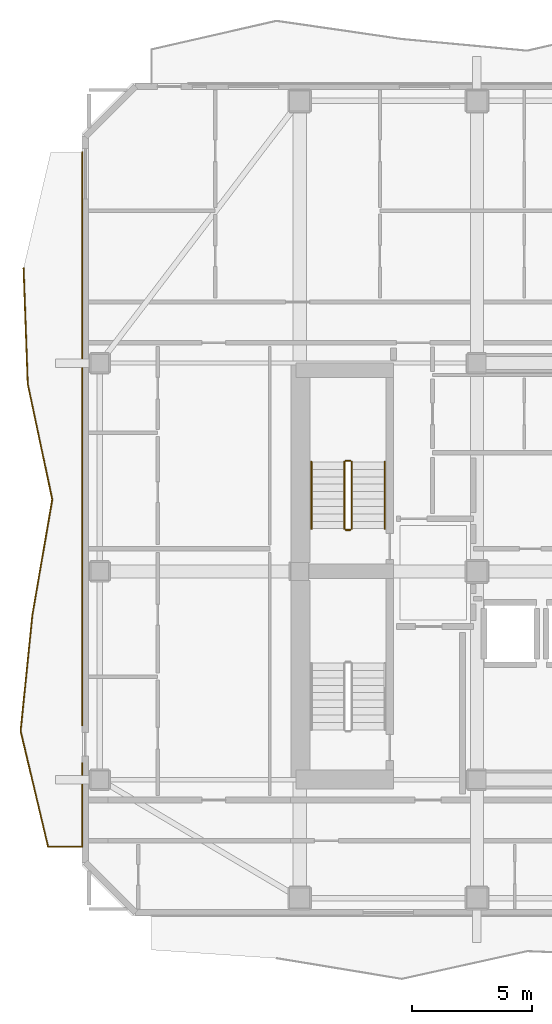
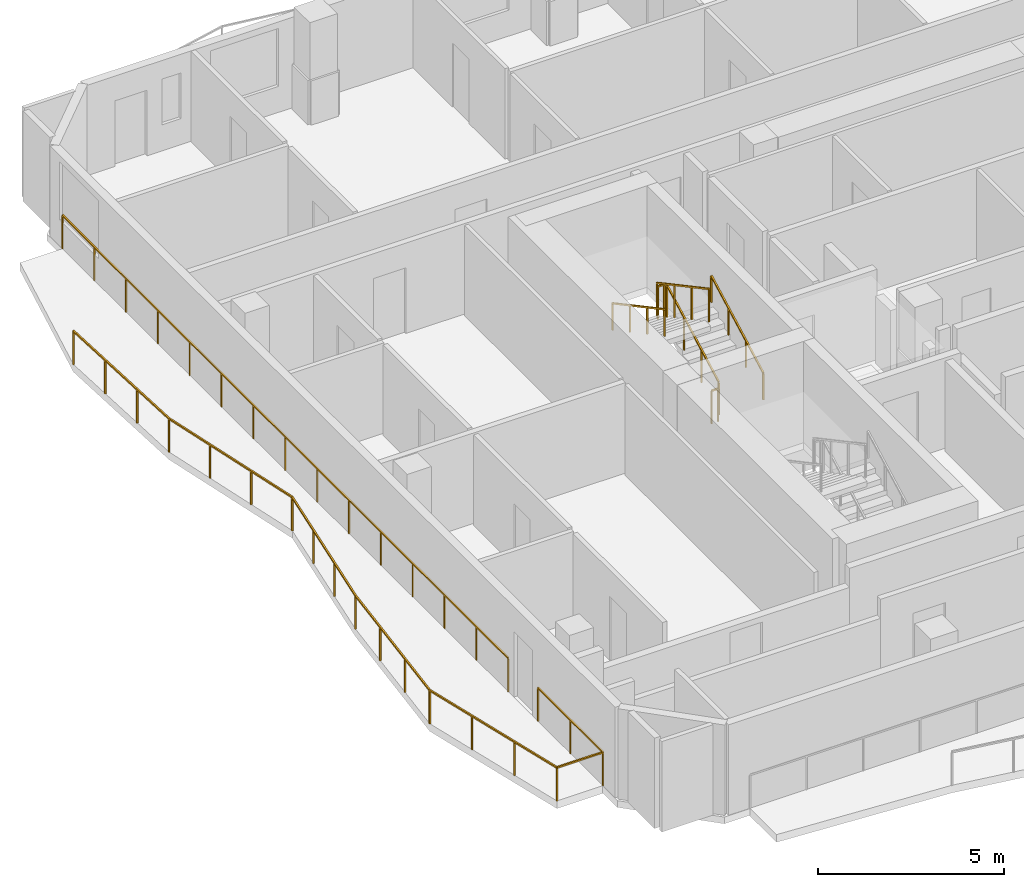
# One storey, part 8 of 10: 8 railings.
"""IFC4 building model written with IfcOpenShell, lengths in metres."""

import ifcopenshell
import ifcopenshell.guid

model = None  # the IFC model being written
_history = None  # IfcOwnerHistory: only IFC2X3 demands one
_inside = {}  # id of a spatial element -> (the spatial element, [elements in it])
_under = {}  # id of a project, library or spatial element -> (it, [spatial elements below it])
_declared = {}  # id of a project -> (the project, [libraries it declares])
_typed = {}  # id of a type object -> (the type object, [elements of that type])
_made_of = {}  # id of a material, layer set ... -> (it, [elements and type objects made of it])


def new_model(schema):
    """Start an empty IFC model of exactly this schema.

    Asked for "IFC4X3", IfcOpenShell would pick the latest addendum, in which some entities
    have other attributes; the version numbers below select the first issue.
    IFC2X3 requires an IfcOwnerHistory on every rooted entity: one is made here for all.
    """
    global model, _history
    if schema == "IFC4X3":
        model = ifcopenshell.file(schema_version=(4, 3, 0, 0))
    else:
        model = ifcopenshell.file(schema=schema)
    _inside.clear()
    _under.clear()
    _declared.clear()
    _typed.clear()
    _made_of.clear()
    _history = None
    if model.schema == "IFC2X3":
        org = make("IfcOrganization", Name="unknown")
        user = make(
            "IfcPersonAndOrganization",
            ThePerson=make("IfcPerson", FamilyName="unknown"),
            TheOrganization=org,
        )
        app = make(
            "IfcApplication",
            ApplicationDeveloper=org,
            Version="unknown",
            ApplicationFullName="unknown",
            ApplicationIdentifier="unknown",
        )
        _history = make(
            "IfcOwnerHistory",
            OwningUser=user,
            OwningApplication=app,
            ChangeAction="ADDED",
            CreationDate=0,
        )
    return model


def make(cls, **values):
    """One entity of the class cls with the attributes given. An attribute that is None is left unset."""
    return model.create_entity(
        cls, **{name: value for name, value in values.items() if value is not None}
    )


def rooted(cls, **values):
    """An entity with a GlobalId (a new one), such as an element, a storey or a relation."""
    return make(cls, GlobalId=ifcopenshell.guid.new(), OwnerHistory=_history, **values)


def si_unit(unit_type, name, prefix=None):
    """IfcSIUnit, for example si_unit("LENGTHUNIT", "METRE", prefix="MILLI")."""
    return make("IfcSIUnit", UnitType=unit_type, Prefix=prefix, Name=name)


def assignment(units):
    """IfcUnitAssignment: the units of a project."""
    return None if units is None else make("IfcUnitAssignment", Units=units)


def point(xyz):
    """IfcCartesianPoint."""
    return None if xyz is None else make("IfcCartesianPoint", Coordinates=xyz)


def direction(xyz):
    """IfcDirection."""
    return None if xyz is None else make("IfcDirection", DirectionRatios=xyz)


def frame(location, z_axis=None, x_axis=None):
    """IfcAxis2Placement3D, a coordinate frame: its origin and axes. An axis left out is left unset."""
    return make(
        "IfcAxis2Placement3D",
        Location=point(location),
        Axis=direction(z_axis),
        RefDirection=direction(x_axis),
    )


def frame_2d(location, x_axis=None):
    """IfcAxis2Placement2D, a coordinate frame in the plane: its origin and x axis."""
    return make(
        "IfcAxis2Placement2D", Location=point(location), RefDirection=direction(x_axis)
    )


def origin():
    """The frame at (0, 0, 0) with its axes left unset."""
    return frame((0.0, 0.0, 0.0))


def origin_2d():
    """The frame at (0, 0) in the plane with its x axis left unset."""
    return frame_2d((0.0, 0.0))


def place(relative_to, where):
    """IfcLocalPlacement: puts the frame where relative to a parent placement (None: the world)."""
    return make(
        "IfcLocalPlacement", PlacementRelTo=relative_to, RelativePlacement=where
    )


def context(
    kind, dimensions, precision=None, world=None, true_north=None, identifier=None
):
    """IfcGeometricRepresentationContext, for example the 3D "Model" context."""
    return make(
        "IfcGeometricRepresentationContext",
        ContextIdentifier=identifier,
        ContextType=kind,
        CoordinateSpaceDimension=dimensions,
        Precision=precision,
        WorldCoordinateSystem=world,
        TrueNorth=true_north,
    )


def subcontext(parent, identifier, kind, view, scale=None):
    """IfcGeometricRepresentationSubContext, for example "Body" below "Model"."""
    return make(
        "IfcGeometricRepresentationSubContext",
        ContextIdentifier=identifier,
        ContextType=kind,
        ParentContext=parent,
        TargetScale=scale,
        TargetView=view,
    )


def project(units=None, contexts=None):
    """IfcProject with its units and contexts."""
    return rooted(
        "IfcProject",
        Name="project",
        RepresentationContexts=contexts,
        UnitsInContext=assignment(units),
    )


def spatial(cls, under=None, at=None, **own):
    """A site, building, storey or space (cls), placed at a placement, below another one or the project."""
    s = rooted(cls, ObjectPlacement=at, **own)
    if under is not None:
        _under.setdefault(under.id(), (under, []))[1].append(s)
    return s


def profile(cls, at=None, kind="AREA", **sizes):
    """A parametric profile (cls). Its sizes go by their IFC names, for example OverallWidth=200.0."""
    return make(cls, ProfileType=kind, Position=at, **sizes)


def rectangle(**sizes):
    """IfcRectangleProfileDef."""
    return profile("IfcRectangleProfileDef", **sizes)


def extrude(swept, where, along, depth):
    """IfcExtrudedAreaSolid: the profile swept, set in the frame where, extruded along a direction by depth."""
    return make(
        "IfcExtrudedAreaSolid",
        SweptArea=swept,
        Position=where,
        ExtrudedDirection=direction(along),
        Depth=depth,
    )


def shape(context_of_items, identifier, shape_type, items):
    """IfcShapeRepresentation: the items that make up one representation, for example the "Body"."""
    return make(
        "IfcShapeRepresentation",
        ContextOfItems=context_of_items,
        RepresentationIdentifier=identifier,
        RepresentationType=shape_type,
        Items=items,
    )


def material(Name=None, Category=None):
    """IfcMaterial."""
    return make("IfcMaterial", Name=Name, Category=Category)


def made_of(thing, what):
    """Note that an element or type object is made of a material, layer set ...; save() writes the relation."""
    if what is not None:
        _made_of.setdefault(what.id(), (what, []))[1].append(thing)
    return thing


def type_object(cls, material=None, **own):
    """A type object (cls), such as IfcWallType, which elements share."""
    return made_of(rooted(cls, **own), material)


def element(
    cls,
    number,
    at=None,
    inside=None,
    cuts=None,
    type_object=None,
    material=None,
    context=None,
    identifier="Body",
    shape_type=None,
    held_by="IfcProductDefinitionShape",
    body=None,
    shapes=None,
    **own,
):
    """One element of the class cls, such as IfcWall. Its Tag is "e" and its number.

    at: its placement. inside: the storey or other place that contains it. cuts: it is an
    opening in that element (IfcRelVoidsElement). A single representation is given by context,
    identifier, shape_type and body (its items); several are given by shapes. held_by: the class
    of the entity that holds the representations. save() writes the other relations.
    """
    e = rooted(cls, Tag="e%d" % number, ObjectPlacement=at, **own)
    if body is not None:
        shapes = [shape(context, identifier, shape_type, body)]
    if shapes is not None:
        e.Representation = make(held_by, Representations=shapes)
    if inside is not None:
        _inside.setdefault(inside.id(), (inside, []))[1].append(e)
    if cuts is not None:
        rooted(
            "IfcRelVoidsElement", RelatingBuildingElement=cuts, RelatedOpeningElement=e
        )
    if type_object is not None:
        _typed.setdefault(type_object.id(), (type_object, []))[1].append(e)
    return made_of(e, material)


def aggregate(whole, parts):
    """IfcRelAggregates: a whole, such as a stair, and the parts it consists of."""
    return rooted("IfcRelAggregates", RelatingObject=whole, RelatedObjects=parts)


def save(model, path):
    """Write the relations noted so far, then the file.

    IfcRelAggregates (storeys below a building ...), IfcRelContainedInSpatialStructure (elements
    in a storey), IfcRelDefinesByType, IfcRelAssociatesMaterial and IfcRelDeclares: one each for
    every whole, place, type object, material and project.
    """
    for whole, parts in _under.values():
        aggregate(whole, parts)
    for where, things in _inside.values():
        rooted(
            "IfcRelContainedInSpatialStructure",
            RelatedElements=things,
            RelatingStructure=where,
        )
    for kind, things in _typed.values():
        rooted("IfcRelDefinesByType", RelatedObjects=things, RelatingType=kind)
    for what, things in _made_of.values():
        rooted("IfcRelAssociatesMaterial", RelatedObjects=things, RelatingMaterial=what)
    for by, libraries in _declared.values():
        rooted("IfcRelDeclares", RelatingContext=by, RelatedDefinitions=libraries)
    model.write(path)


model = new_model("IFC4")

# Units and contexts
model_context = context("Model", 3, precision=1e-05, world=origin(), true_north=direction((0.0, 1.0)))
body_context = subcontext(model_context, "Body", "Model", "MODEL_VIEW")
ifc_project = project(units=[si_unit("LENGTHUNIT", "METRE"), si_unit("AREAUNIT", "SQUARE_METRE"), si_unit("VOLUMEUNIT", "CUBIC_METRE"), si_unit("PLANEANGLEUNIT", "RADIAN"), si_unit("MASSUNIT", "GRAM", prefix="KILO")], contexts=[model_context])

# Site, building, storey
site_placement = place(None, origin())
site = spatial("IfcSite", under=ifc_project, at=site_placement, CompositionType="ELEMENT")
building_placement = place(site_placement, origin())
building = spatial("IfcBuilding", under=site, at=building_placement, Name="Solanera Arch Residences", CompositionType="ELEMENT")
storey_placement = place(building_placement, frame((0.0, 0.0, 254.52001953125)))
storey = spatial("IfcBuildingStorey", under=building, at=storey_placement, Name="L74", CompositionType="ELEMENT", Elevation=254.52001953125)

# Railings
ifc_material_1 = material(Name="Steel S355 (ASTM A992 / A572 Grade 50)", Category="steel")
railing_type_1 = type_object("IfcRailingType", Name="Balustrade Railing BL-1100", PredefinedType="BALUSTRADE", material=ifc_material_1)
railing_1_placement = place(storey_placement, frame((1.864990234375, 43.366943359375, 0.0)))
element("IfcRailing", 1, at=railing_1_placement, inside=storey, type_object=railing_type_1, Name="L74 W Balcony Balustrade 1", PredefinedType="BALUSTRADE", context=body_context, shape_type="SweptSolid", body=[
    extrude(rectangle(XDim=0.048095703125, YDim=0.048095703125, at=origin_2d()), frame((0.0, 0.0, 1.09619140625), z_axis=(0.035785145967, -0.999359506548, 0.0), x_axis=(0.999359506548, 0.035785145967, 0.0)), (0.0, 0.0, 1.0), 4.837158203125),
    extrude(rectangle(XDim=0.048095703125, YDim=0.048095703125, at=origin_2d()), frame((0.173095703125, -4.833984375, 1.09619140625), z_axis=(0.207449754538, -0.978245674328, 0.0), x_axis=(0.978245674328, 0.207449754538, 0.0)), (0.0, 0.0, 1.0), 4.9404296875),
    extrude(rectangle(XDim=0.048095703125, YDim=0.048095703125, at=origin_2d()), frame((1.197998046875, -9.6669921875, 1.09619140625), z_axis=(-0.169660181067, -0.985502624532, 0.0), x_axis=(0.985502624532, -0.169660181067, 0.0)), (0.0, 0.0, 1.0), 4.904052734375),
    extrude(rectangle(XDim=0.048095703125, YDim=0.048095703125, at=origin_2d()), frame((0.365966796875, -14.5, 1.09619140625), z_axis=(-0.100846880324, -0.99490195835, 0.0), x_axis=(0.99490195835, -0.100846880324, 0.0)), (0.0, 0.0, 1.0), 4.858642578125),
    extrude(rectangle(XDim=0.048095703125, YDim=0.048095703125, at=origin_2d()), frame((-0.1240234375, -19.333984375, 1.09619140625), z_axis=(0.230907260965, -0.972975763744, 0.0), x_axis=(0.972975763744, 0.230907260965, 0.0)), (0.0, 0.0, 1.0), 4.96728515625),
    extrude(rectangle(XDim=0.048095703125, YDim=0.048095703125, at=origin_2d()), frame((1.02294921875, -24.1669921875, 1.09619140625), z_axis=(1.0, 0.0, 0.0), x_axis=(0.0, 1.0, 0.0)), (0.0, 0.0, 1.0), 1.43212890625),
    extrude(rectangle(XDim=0.048095703125, YDim=0.048095703125, at=origin_2d()), frame((2.455078125, -24.1669921875, 1.09619140625), z_axis=(0.0, 1.0, 0.0), x_axis=(-1.0, 0.0, 0.0)), (0.0, 0.0, 1.0), 3.47900390625),
    extrude(rectangle(XDim=0.0419921875, YDim=0.0419921875, at=origin_2d()), origin(), (0.0, 0.0, 1.0), 1.072021484375),
    extrude(rectangle(XDim=0.0419921875, YDim=0.0419921875, at=origin_2d()), frame((0.0576171875, -1.611328125, 0.0)), (0.0, 0.0, 1.0), 1.072021484375),
    extrude(rectangle(XDim=0.0419921875, YDim=0.0419921875, at=origin_2d()), frame((0.115478515625, -3.22265625, 0.0)), (0.0, 0.0, 1.0), 1.072021484375),
    extrude(rectangle(XDim=0.0419921875, YDim=0.0419921875, at=origin_2d()), frame((0.173095703125, -4.833984375, 0.0)), (0.0, 0.0, 1.0), 1.072021484375),
    extrude(rectangle(XDim=0.0419921875, YDim=0.0419921875, at=origin_2d()), frame((0.5146484375, -6.445068359375, 0.0)), (0.0, 0.0, 1.0), 1.072021484375),
    extrude(rectangle(XDim=0.0419921875, YDim=0.0419921875, at=origin_2d()), frame((0.8564453125, -8.055908203125, 0.0)), (0.0, 0.0, 1.0), 1.072021484375),
    extrude(rectangle(XDim=0.0419921875, YDim=0.0419921875, at=origin_2d()), frame((1.197998046875, -9.6669921875, 0.0)), (0.0, 0.0, 1.0), 1.072021484375),
    extrude(rectangle(XDim=0.0419921875, YDim=0.0419921875, at=origin_2d()), frame((0.920654296875, -11.278076171875, 0.0)), (0.0, 0.0, 1.0), 1.072021484375),
    extrude(rectangle(XDim=0.0419921875, YDim=0.0419921875, at=origin_2d()), frame((0.643310546875, -12.888916015625, 0.0)), (0.0, 0.0, 1.0), 1.072021484375),
    extrude(rectangle(XDim=0.0419921875, YDim=0.0419921875, at=origin_2d()), frame((0.365966796875, -14.5, 0.0)), (0.0, 0.0, 1.0), 1.072021484375),
    extrude(rectangle(XDim=0.0419921875, YDim=0.0419921875, at=origin_2d()), frame((0.20263671875, -16.111328125, 0.0)), (0.0, 0.0, 1.0), 1.072021484375),
    extrude(rectangle(XDim=0.0419921875, YDim=0.0419921875, at=origin_2d()), frame((0.039306640625, -17.72265625, 0.0)), (0.0, 0.0, 1.0), 1.072021484375),
    extrude(rectangle(XDim=0.0419921875, YDim=0.0419921875, at=origin_2d()), frame((-0.1240234375, -19.333984375, 0.0)), (0.0, 0.0, 1.0), 1.072021484375),
    extrude(rectangle(XDim=0.0419921875, YDim=0.0419921875, at=origin_2d()), frame((0.25830078125, -20.945068359375, 0.0)), (0.0, 0.0, 1.0), 1.072021484375),
    extrude(rectangle(XDim=0.0419921875, YDim=0.0419921875, at=origin_2d()), frame((0.640625, -22.555908203125, 0.0)), (0.0, 0.0, 1.0), 1.072021484375),
    extrude(rectangle(XDim=0.0419921875, YDim=0.0419921875, at=origin_2d()), frame((1.02294921875, -24.1669921875, 0.0)), (0.0, 0.0, 1.0), 1.072021484375),
    extrude(rectangle(XDim=0.0419921875, YDim=0.0419921875, at=origin_2d()), frame((2.455078125, -24.1669921875, 0.0)), (0.0, 0.0, 1.0), 1.072021484375),
    extrude(rectangle(XDim=0.0419921875, YDim=0.0419921875, at=origin_2d()), frame((2.455078125, -22.427490234375, 0.0)), (0.0, 0.0, 1.0), 1.072021484375),
    extrude(rectangle(XDim=0.0419921875, YDim=0.0419921875, at=origin_2d()), frame((2.455078125, -20.68798828125, 0.0)), (0.0, 0.0, 1.0), 1.072021484375),
])
railing_2_placement = place(storey_placement, frame((4.320068359375, 24.279052734375, 0.0)))
element("IfcRailing", 2, at=railing_2_placement, inside=storey, type_object=railing_type_1, Name="L74 W Balcony Balustrade 2", PredefinedType="BALUSTRADE", context=body_context, shape_type="SweptSolid", body=[
    extrude(rectangle(XDim=0.048095703125, YDim=0.048095703125, at=origin_2d()), frame((0.0, 0.0, 1.09619140625), z_axis=(0.0, 1.0, 0.0), x_axis=(-1.0, 0.0, 0.0)), (0.0, 0.0, 1.0), 23.9208984375),
    extrude(rectangle(XDim=0.0419921875, YDim=0.0419921875, at=origin_2d()), origin(), (0.0, 0.0, 1.0), 1.072021484375),
    extrude(rectangle(XDim=0.0419921875, YDim=0.0419921875, at=origin_2d()), frame((0.0, 1.708740234375, 0.0)), (0.0, 0.0, 1.0), 1.072021484375),
    extrude(rectangle(XDim=0.0419921875, YDim=0.0419921875, at=origin_2d()), frame((0.0, 3.417236328125, 0.0)), (0.0, 0.0, 1.0), 1.072021484375),
    extrude(rectangle(XDim=0.0419921875, YDim=0.0419921875, at=origin_2d()), frame((0.0, 5.1259765625, 0.0)), (0.0, 0.0, 1.0), 1.072021484375),
    extrude(rectangle(XDim=0.0419921875, YDim=0.0419921875, at=origin_2d()), frame((0.0, 6.83447265625, 0.0)), (0.0, 0.0, 1.0), 1.072021484375),
    extrude(rectangle(XDim=0.0419921875, YDim=0.0419921875, at=origin_2d()), frame((0.0, 8.543212890625, 0.0)), (0.0, 0.0, 1.0), 1.072021484375),
    extrude(rectangle(XDim=0.0419921875, YDim=0.0419921875, at=origin_2d()), frame((0.0, 10.251708984375, 0.0)), (0.0, 0.0, 1.0), 1.072021484375),
    extrude(rectangle(XDim=0.0419921875, YDim=0.0419921875, at=origin_2d()), frame((0.0, 11.96044921875, 0.0)), (0.0, 0.0, 1.0), 1.072021484375),
    extrude(rectangle(XDim=0.0419921875, YDim=0.0419921875, at=origin_2d()), frame((0.0, 13.669189453125, 0.0)), (0.0, 0.0, 1.0), 1.072021484375),
    extrude(rectangle(XDim=0.0419921875, YDim=0.0419921875, at=origin_2d()), frame((0.0, 15.377685546875, 0.0)), (0.0, 0.0, 1.0), 1.072021484375),
    extrude(rectangle(XDim=0.0419921875, YDim=0.0419921875, at=origin_2d()), frame((0.0, 17.08642578125, 0.0)), (0.0, 0.0, 1.0), 1.072021484375),
    extrude(rectangle(XDim=0.0419921875, YDim=0.0419921875, at=origin_2d()), frame((0.0, 18.794921875, 0.0)), (0.0, 0.0, 1.0), 1.072021484375),
    extrude(rectangle(XDim=0.0419921875, YDim=0.0419921875, at=origin_2d()), frame((0.0, 20.503662109375, 0.0)), (0.0, 0.0, 1.0), 1.072021484375),
    extrude(rectangle(XDim=0.0419921875, YDim=0.0419921875, at=origin_2d()), frame((0.0, 22.212158203125, 0.0)), (0.0, 0.0, 1.0), 1.072021484375),
    extrude(rectangle(XDim=0.0419921875, YDim=0.0419921875, at=origin_2d()), frame((0.0, 23.9208984375, 0.0)), (0.0, 0.0, 1.0), 1.072021484375),
])
ifc_material_2 = material(Name="Steel S355 (ASTM A992 / A572 Grade 50)", Category="steel")
railing_type_2 = type_object("IfcRailingType", Name="Stair Guardrail GR-1100", PredefinedType="GUARDRAIL", material=ifc_material_2)
railing_3_placement = place(storey_placement, frame((15.570068359375, 32.47998046875, 0.15087890625)))
element("IfcRailing", 3, at=railing_3_placement, inside=storey, type_object=railing_type_2, Name="L74 ST-T1 stair guard 1", PredefinedType="GUARDRAIL", context=body_context, shape_type="SweptSolid", body=[
    extrude(rectangle(XDim=0.048095703125, YDim=0.048095703125, at=origin_2d()), frame((0.0, 0.0, 1.076171875), z_axis=(0.0, 0.881548766853, 0.472092969298), x_axis=(-1.0, 0.0, 0.0)), (0.0, 0.0, 1.0), 3.1650390625),
    extrude(rectangle(XDim=0.0419921875, YDim=0.0419921875, at=origin_2d()), origin(), (0.0, 0.0, 1.0), 1.052001953125),
    extrude(rectangle(XDim=0.0419921875, YDim=0.0419921875, at=origin_2d()), frame((0.0, 0.929931640625, 0.498046875)), (0.0, 0.0, 1.0), 1.052001953125),
    extrude(rectangle(XDim=0.0419921875, YDim=0.0419921875, at=origin_2d()), frame((0.0, 1.860107421875, 0.99609375)), (0.0, 0.0, 1.0), 1.052001953125),
    extrude(rectangle(XDim=0.0419921875, YDim=0.0419921875, at=origin_2d()), frame((0.0, 2.7900390625, 1.494140625)), (0.0, 0.0, 1.0), 1.052001953125),
])
railing_4_placement = place(storey_placement, frame((15.52001953125, 35.320068359375, 1.64501953125)))
element("IfcRailing", 4, at=railing_4_placement, inside=storey, type_object=railing_type_2, Name="L74 ST-T1 stair guard 2", PredefinedType="GUARDRAIL", context=body_context, shape_type="SweptSolid", body=[
    extrude(rectangle(XDim=0.048095703125, YDim=0.048095703125, at=origin_2d()), frame((0.0, 0.0, 1.076171875), z_axis=(-1.0, 0.0, 0.0), x_axis=(0.0, -1.0, 0.0)), (0.0, 0.0, 1.0), 0.199951171875),
    extrude(rectangle(XDim=0.0419921875, YDim=0.0419921875, at=origin_2d()), origin(), (0.0, 0.0, 1.0), 1.052001953125),
    extrude(rectangle(XDim=0.0419921875, YDim=0.0419921875, at=origin_2d()), frame((-0.199951171875, 0.0, 0.0)), (0.0, 0.0, 1.0), 1.052001953125),
])
railing_5_placement = place(storey_placement, frame((15.27001953125, 35.27001953125, 1.81103515625)))
element("IfcRailing", 5, at=railing_5_placement, inside=storey, type_object=railing_type_2, Name="L74 ST-T1 stair guard 3", PredefinedType="GUARDRAIL", context=body_context, shape_type="SweptSolid", body=[
    extrude(rectangle(XDim=0.048095703125, YDim=0.048095703125, at=origin_2d()), frame((0.0, 0.0, 1.076171875), z_axis=(0.0, -0.881580869306, 0.472033018838), x_axis=(1.0, 0.0, 0.0)), (0.0, 0.0, 1.0), 3.164794921875),
    extrude(rectangle(XDim=0.0419921875, YDim=0.0419921875, at=origin_2d()), origin(), (0.0, 0.0, 1.0), 1.052001953125),
    extrude(rectangle(XDim=0.0419921875, YDim=0.0419921875, at=origin_2d()), frame((0.0, -0.929931640625, 0.498046875)), (0.0, 0.0, 1.0), 1.052001953125),
    extrude(rectangle(XDim=0.0419921875, YDim=0.0419921875, at=origin_2d()), frame((0.0, -1.860107421875, 0.995849609375)), (0.0, 0.0, 1.0), 1.052001953125),
    extrude(rectangle(XDim=0.0419921875, YDim=0.0419921875, at=origin_2d()), frame((0.0, -2.7900390625, 1.493896484375)), (0.0, 0.0, 1.0), 1.052001953125),
])
railing_6_placement = place(storey_placement, frame((15.52001953125, 32.429931640625, -0.01513671875)))
element("IfcRailing", 6, at=railing_6_placement, inside=storey, type_object=railing_type_2, Name="L74 ST-T1 stair guard 4", PredefinedType="GUARDRAIL", context=body_context, shape_type="SweptSolid", body=[
    extrude(rectangle(XDim=0.048095703125, YDim=0.048095703125, at=origin_2d()), frame((0.0, 0.0, 1.076171875), z_axis=(-1.0, 0.0, 0.0), x_axis=(0.0, -1.0, 0.0)), (0.0, 0.0, 1.0), 0.199951171875),
    extrude(rectangle(XDim=0.0419921875, YDim=0.0419921875, at=origin_2d()), origin(), (0.0, 0.0, 1.0), 1.052001953125),
    extrude(rectangle(XDim=0.0419921875, YDim=0.0419921875, at=origin_2d()), frame((-0.199951171875, 0.0, 0.0)), (0.0, 0.0, 1.0), 1.052001953125),
])
ifc_material_3 = material(Name="Steel S355 (ASTM A992 / A572 Grade 50)", Category="steel")
railing_type_3 = type_object("IfcRailingType", Name="Stair Wall Handrail HR-920", PredefinedType="HANDRAIL", material=ifc_material_3)
railing_7_placement = place(storey_placement, frame((16.949951171875, 32.47998046875, 0.166015625)))
element("IfcRailing", 7, at=railing_7_placement, inside=storey, type_object=railing_type_3, Name="L74 ST-T1 stair handrail 1", PredefinedType="HANDRAIL", context=body_context, shape_type="SweptSolid", body=[
    extrude(rectangle(XDim=0.048095703125, YDim=0.048095703125, at=origin_2d()), frame((0.0, 0.0, 0.8759765625), z_axis=(0.0, 0.881580869306, 0.472033018838), x_axis=(-1.0, 0.0, 0.0)), (0.0, 0.0, 1.0), 3.164794921875),
    extrude(rectangle(XDim=0.0419921875, YDim=0.0419921875, at=origin_2d()), origin(), (0.0, 0.0, 1.0), 0.851806640625),
    extrude(rectangle(XDim=0.0419921875, YDim=0.0419921875, at=origin_2d()), frame((0.0, 0.929931640625, 0.498046875)), (0.0, 0.0, 1.0), 0.851806640625),
    extrude(rectangle(XDim=0.0419921875, YDim=0.0419921875, at=origin_2d()), frame((0.0, 1.860107421875, 0.995849609375)), (0.0, 0.0, 1.0), 0.851806640625),
    extrude(rectangle(XDim=0.0419921875, YDim=0.0419921875, at=origin_2d()), frame((0.0, 2.7900390625, 1.493896484375)), (0.0, 0.0, 1.0), 0.851806640625),
])
railing_8_placement = place(storey_placement, frame((13.889892578125, 35.27001953125, 1.825927734375)))
element("IfcRailing", 8, at=railing_8_placement, inside=storey, type_object=railing_type_3, Name="L74 ST-T1 stair handrail 2", PredefinedType="HANDRAIL", context=body_context, shape_type="SweptSolid", body=[
    extrude(rectangle(XDim=0.048095703125, YDim=0.048095703125, at=origin_2d()), frame((0.0, 0.0, 0.8759765625), z_axis=(0.0, -0.881548766853, 0.472092969298), x_axis=(1.0, 0.0, 0.0)), (0.0, 0.0, 1.0), 3.1650390625),
    extrude(rectangle(XDim=0.0419921875, YDim=0.0419921875, at=origin_2d()), origin(), (0.0, 0.0, 1.0), 0.851806640625),
    extrude(rectangle(XDim=0.0419921875, YDim=0.0419921875, at=origin_2d()), frame((0.0, -0.929931640625, 0.498046875)), (0.0, 0.0, 1.0), 0.851806640625),
    extrude(rectangle(XDim=0.0419921875, YDim=0.0419921875, at=origin_2d()), frame((0.0, -1.860107421875, 0.99609375)), (0.0, 0.0, 1.0), 0.851806640625),
    extrude(rectangle(XDim=0.0419921875, YDim=0.0419921875, at=origin_2d()), frame((0.0, -2.7900390625, 1.494140625)), (0.0, 0.0, 1.0), 0.851806640625),
])

save(model, "model.ifc")
